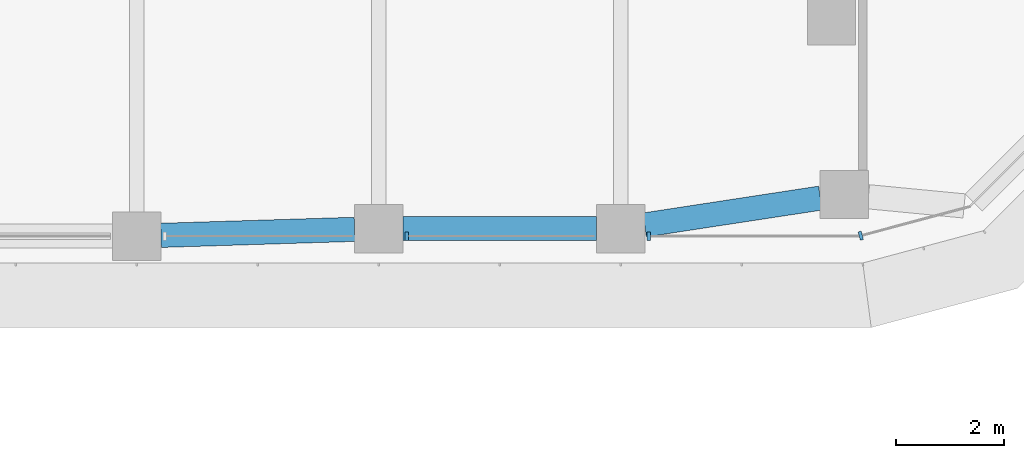
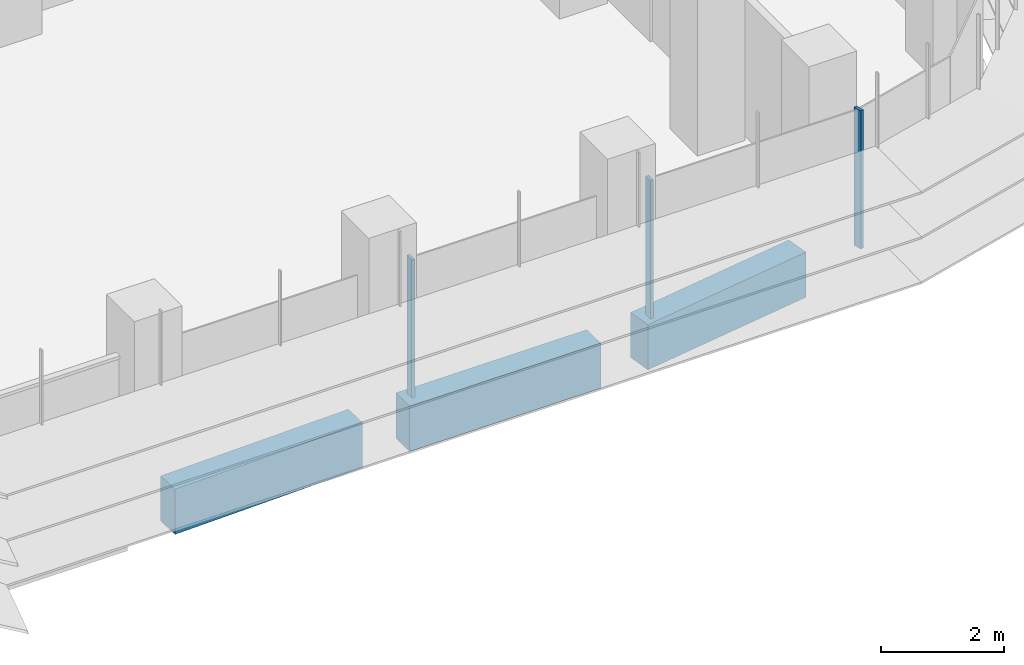
# One storey, part 5 of 21: 3 beams, 3 members, 2 elements without a shape of their own.
"""IFC4 building model written with IfcOpenShell, lengths in metres."""

from ifc_helpers import new_model, si_unit, direction, frame, origin, origin_2d, place, context, subcontext, project, spatial, polyline, rectangle, outline, extrude, source, transform, mapped, material, material_profile, profile_set, type_object, element, aggregate, save


model = new_model("IFC4")

# Units and contexts
model_context = context("Model", 3, precision=1e-05, world=origin(), true_north=direction((0.0, 1.0)))
body_context = subcontext(model_context, "Body", "Model", "MODEL_VIEW")
ifc_project = project(units=[si_unit("LENGTHUNIT", "METRE"), si_unit("AREAUNIT", "SQUARE_METRE"), si_unit("VOLUMEUNIT", "CUBIC_METRE"), si_unit("PLANEANGLEUNIT", "RADIAN"), si_unit("MASSUNIT", "GRAM", prefix="KILO")], contexts=[model_context])

# Site, building, storey
site_placement = place(None, origin())
site = spatial("IfcSite", under=ifc_project, at=site_placement, CompositionType="ELEMENT")
building_placement = place(site_placement, origin())
building = spatial("IfcBuilding", under=site, at=building_placement, Name="Zarbagh Exchange Tower", CompositionType="ELEMENT")
storey_placement = place(building_placement, frame((0.0, 0.0, 117.0)))
storey = spatial("IfcBuildingStorey", under=building, at=storey_placement, Name="L27", CompositionType="ELEMENT", Elevation=117.0)

# Beams
ifc_material_1 = material(Name="Concrete C60/75", Category="concrete")
ifc_material_profile = material_profile(ifc_material_1, rectangle(XDim=0.449951171875, YDim=0.89990234375, at=origin_2d()), Name="RC spandrel beam 450 x 900 C60/75")
ifc_profile_set = profile_set([ifc_material_profile], Name="Concrete C60/75")
beam_type = type_object("IfcBeamType", Name="RC spandrel beam 450 x 900 C60/75", PredefinedType="SPANDREL", material=ifc_profile_set)
beam_1_placement = place(storey_placement, frame((28.463134765625, -5.54296875, -0.60009765625), z_axis=(-0.988543505948, -0.150936201252, 0.0), x_axis=(0.150936201252, -0.988543505948, 0.0)))
element("IfcBeam", 1, at=beam_1_placement, inside=storey, type_object=beam_type, Name="RC spandrel beam", PredefinedType="SPANDREL", context=body_context, shape_type="SweptSolid", body=[
    extrude(rectangle(XDim=0.449951171875, YDim=0.89990234375, at=origin_2d()), origin(), (0.0, 0.0, 1.0), 3.30615234375),
])
beam_2_placement = place(storey_placement, frame((24.300048828125, -6.110107421875, -0.60009765625), z_axis=(-1.0, 0.0, 0.0), x_axis=(0.0, -1.0, 0.0)))
element("IfcBeam", 2, at=beam_2_placement, inside=storey, type_object=beam_type, Name="RC spandrel beam", PredefinedType="SPANDREL", context=body_context, shape_type="SweptSolid", body=[
    extrude(rectangle(XDim=0.449951171875, YDim=0.89990234375, at=origin_2d()), origin(), (0.0, 0.0, 1.0), 3.60009765625),
])
beam_3_placement = place(storey_placement, frame((19.80029296875, -6.1240234375, -0.60009765625), z_axis=(-0.999516035224, -0.031107801747, 0.0), x_axis=(0.031107801747, -0.999516035224, 0.0)))
element("IfcBeam", 3, at=beam_3_placement, inside=storey, type_object=beam_type, Name="RC spandrel beam", PredefinedType="SPANDREL", context=body_context, shape_type="SweptSolid", body=[
    extrude(rectangle(XDim=0.449951171875, YDim=0.89990234375, at=origin_2d()), origin(), (0.0, 0.0, 1.0), 3.602294921875),
])

# Curtain wall, members
ifc_material_2 = material(Name="Anodised aluminium frame and glazing", Category="aluminium")
curtain_wall_type = type_object("IfcCurtainWallType", Name="CWA Ribbon glazing, lower zones", PredefinedType="NOTDEFINED", material=ifc_material_2)
curtain_wall_1_placement = place(storey_placement, origin())
curtain_wall_1 = element("IfcCurtainWall", 4, at=curtain_wall_1_placement, inside=storey, type_object=curtain_wall_type, Name="CWA08 curtain wall", PredefinedType="NOTDEFINED")
ifc_material_3 = material(Name="Anodised aluminium frame", Category="aluminium")
member_type = type_object("IfcMemberType", Name="MUA Mullion, anodised aluminium frame", PredefinedType="MULLION", material=ifc_material_3)
shared_shape = source(origin(), body_context, "Body", "SweptSolid", [
    extrude(outline(polyline([(0.0, -0.080078125), (0.06005859375, -0.080078125), (0.06005859375, 0.080078125), (0.0, 0.080078125), (0.0, -0.080078125)])), origin(), (0.0, 0.0, 1.0), 2.75),
])
placement = place(storey_placement, origin())
member_1 = element("IfcMember", 5, at=placement, type_object=member_type, Name="CWA08 mullion 3.1", PredefinedType="MULLION", context=body_context, shape_type="MappedRepresentation", body=[
    mapped(shared_shape, transform((20.739990234375, -6.25, 0.0), x_axis=(1.0, 0.0, 0.0), y_axis=(0.0, 1.0, 0.0), z_axis=(0.0, 0.0, 1.0))),
])
member_2 = element("IfcMember", 6, at=placement, type_object=member_type, Name="CWA08 mullion 4.1", PredefinedType="MULLION", context=body_context, shape_type="MappedRepresentation", body=[
    mapped(shared_shape, transform((25.239990234375, -6.25, 0.0), x_axis=(1.0, 0.0, 0.0), y_axis=(0.0, 1.0, 0.0), z_axis=(0.0, 0.0, 1.0))),
])
aggregate(curtain_wall_1, [member_1, member_2])

# Curtain wall, member
curtain_wall_2_placement = place(storey_placement, origin())
curtain_wall_2 = element("IfcCurtainWall", 7, at=curtain_wall_2_placement, inside=storey, type_object=curtain_wall_type, Name="CWA09 curtain wall", PredefinedType="NOTDEFINED")
member_3 = element("IfcMember", 8, at=placement, type_object=member_type, Name="CWA09 mullion 1.1", PredefinedType="MULLION", context=body_context, shape_type="MappedRepresentation", body=[
    mapped(shared_shape, transform((29.18408203125, -6.25, 0.0), x_axis=(0.965924289636, 0.258824779902, 0.0), y_axis=(-0.258824779902, 0.965924289636, 0.0), z_axis=(0.0, 0.0, 1.0))),
])
aggregate(curtain_wall_2, [member_3])

save(model, "model.ifc")
